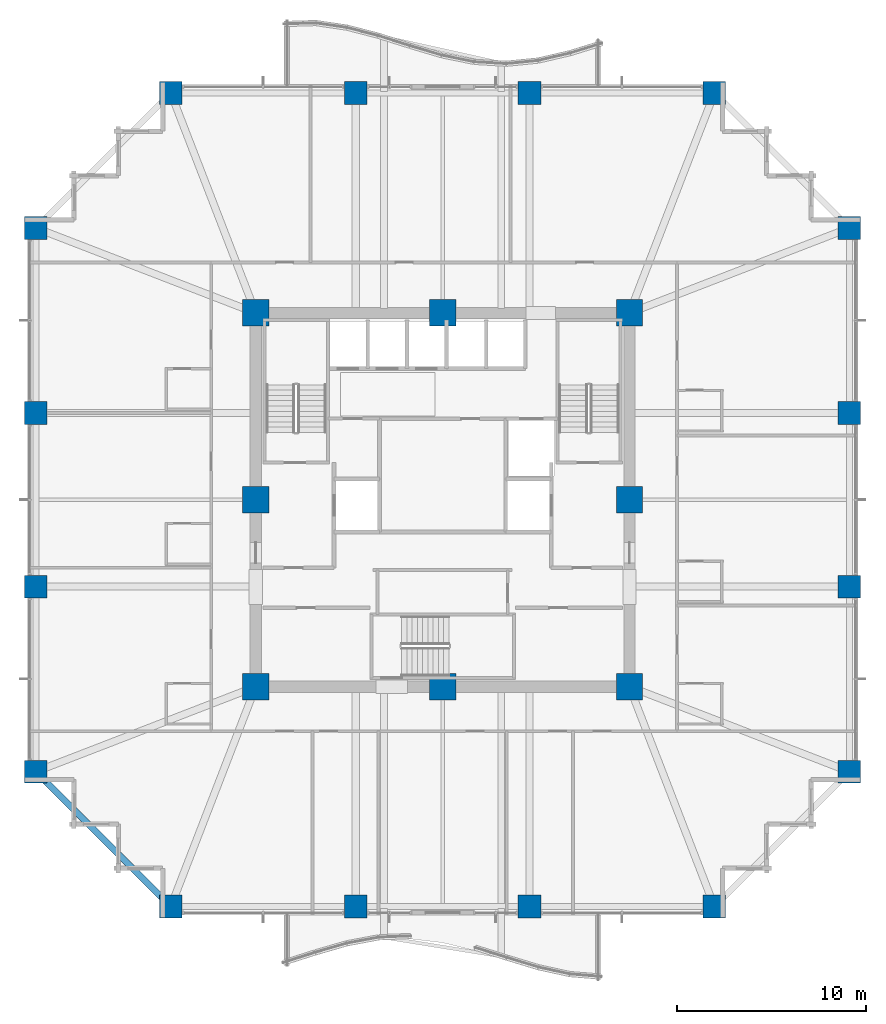
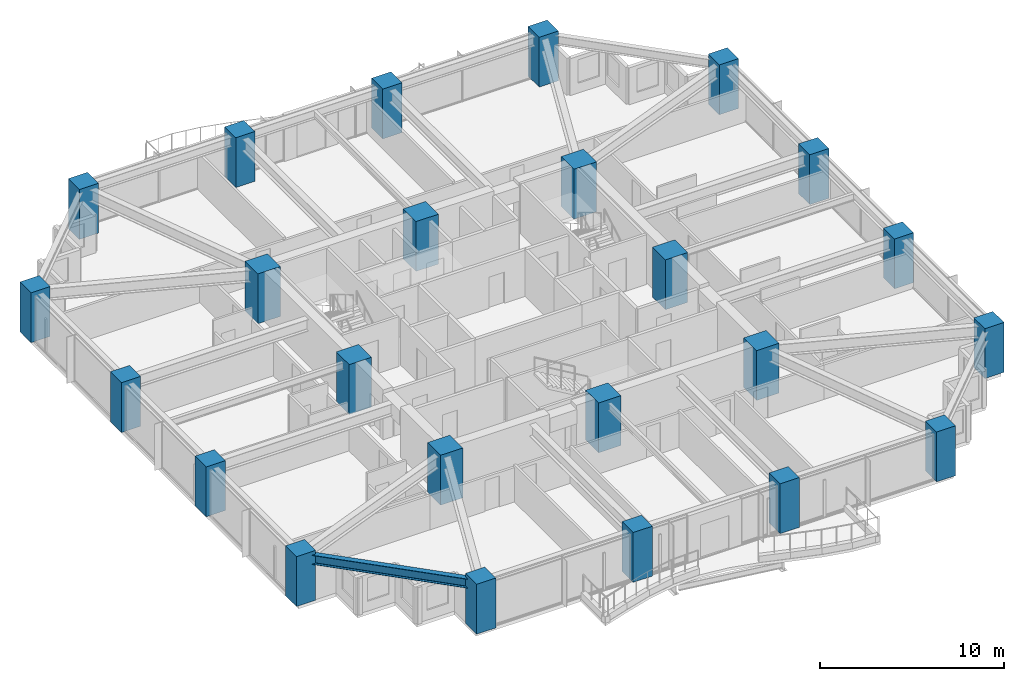
# One storey, part 1 of 38: 24 columns, 1 beam.
"""IFC4 building model written with IfcOpenShell, lengths in metres."""

from ifc_helpers import new_model, si_unit, direction, frame, origin, origin_2d, place, context, subcontext, project, spatial, rectangle, i_section, extrude, material, material_profile, profile_set, type_object, element, save


model = new_model("IFC4")

# Units and contexts
model_context = context("Model", 3, precision=1e-05, world=origin(), true_north=direction((0.0, 1.0)))
body_context = subcontext(model_context, "Body", "Model", "MODEL_VIEW")
ifc_project = project(units=[si_unit("LENGTHUNIT", "METRE"), si_unit("AREAUNIT", "SQUARE_METRE"), si_unit("VOLUMEUNIT", "CUBIC_METRE"), si_unit("PLANEANGLEUNIT", "RADIAN"), si_unit("MASSUNIT", "GRAM", prefix="KILO")], contexts=[model_context])

# Site, building, storey
site_placement = place(None, origin())
site = spatial("IfcSite", under=ifc_project, at=site_placement, CompositionType="ELEMENT")
building_placement = place(site_placement, origin())
building = spatial("IfcBuilding", under=site, at=building_placement, Name="Kolvaren Belvedere", CompositionType="ELEMENT")
storey_placement = place(building_placement, frame((0.0, 0.0, 27.10009765625)))
storey = spatial("IfcBuildingStorey", under=building, at=storey_placement, Name="L07", CompositionType="ELEMENT", Elevation=27.10009765625)

# Columns
ifc_material_1 = material(Name="Concrete C60/75", Category="concrete")
ifc_material_profile_1 = material_profile(ifc_material_1, rectangle(XDim=1.199951171875, YDim=1.199951171875, at=origin_2d()), Name="RC 1200X1200")
ifc_profile_set_1 = profile_set([ifc_material_profile_1], Name="Concrete C60/75")
column_type_1 = type_object("IfcColumnType", Name="COL-RC-1200", PredefinedType="COLUMN", material=ifc_profile_set_1)
for number, where, z_axis, x_axis, name in (
    (1, (-14.39990234375, -21.550048828125, 0.0), (0.0, 0.0, 1.0), (1.0, 0.0, 0.0), "L07 Perimeter Column S1"),
    (2, (-4.60009765625, -21.550048828125, 0.0), (0.0, 0.0, 1.0), (1.0, 0.0, 0.0), "L07 Perimeter Column S2"),
    (3, (4.60009765625, -21.550048828125, 0.0), (0.0, 0.0, 1.0), (1.0, 0.0, 0.0), "L07 Perimeter Column S3"),
    (4, (14.39990234375, -21.550048828125, 0.0), (0.0, 0.0, 1.0), (1.0, 0.0, 0.0), "L07 Perimeter Column S4"),
    (5, (-14.39990234375, 21.550048828125, 0.0), (0.0, 0.0, 1.0), (1.0, 0.0, 0.0), "L07 Perimeter Column N1"),
    (6, (-4.60009765625, 21.550048828125, 0.0), (0.0, 0.0, 1.0), (1.0, 0.0, 0.0), "L07 Perimeter Column N2"),
    (7, (4.60009765625, 21.550048828125, 0.0), (0.0, 0.0, 1.0), (1.0, 0.0, 0.0), "L07 Perimeter Column N3"),
    (8, (14.39990234375, 21.550048828125, 0.0), (0.0, 0.0, 1.0), (1.0, 0.0, 0.0), "L07 Perimeter Column N4"),
    (9, (-21.550048828125, -14.39990234375, 0.0), (0.0, 0.0, 1.0), (1.0, 0.0, 0.0), "L07 Perimeter Column W1"),
    (10, (-21.550048828125, -4.60009765625, 0.0), (0.0, 0.0, 1.0), (1.0, 0.0, 0.0), "L07 Perimeter Column W2"),
    (11, (-21.550048828125, 4.60009765625, 0.0), (0.0, 0.0, 1.0), (1.0, 0.0, 0.0), "L07 Perimeter Column W3"),
    (12, (-21.550048828125, 14.39990234375, 0.0), (0.0, 0.0, 1.0), (1.0, 0.0, 0.0), "L07 Perimeter Column W4"),
    (13, (21.550048828125, -14.39990234375, 0.0), (0.0, 0.0, 1.0), (1.0, 0.0, 0.0), "L07 Perimeter Column E1"),
    (14, (21.550048828125, -4.60009765625, 0.0), (0.0, 0.0, 1.0), (1.0, 0.0, 0.0), "L07 Perimeter Column E2"),
    (15, (21.550048828125, 4.60009765625, 0.0), (0.0, 0.0, 1.0), (1.0, 0.0, 0.0), "L07 Perimeter Column E3"),
    (16, (21.550048828125, 14.39990234375, 0.0), (0.0, 0.0, 1.0), (1.0, 0.0, 0.0), "L07 Perimeter Column E4"),
):
    element("IfcColumn", number, at=place(storey_placement, frame(where, z_axis=z_axis, x_axis=x_axis)), inside=storey, type_object=column_type_1, Name=name, PredefinedType="COLUMN", context=body_context, shape_type="SweptSolid", body=[
        extrude(rectangle(XDim=1.199951171875, YDim=1.199951171875, at=origin_2d()), origin(), (0.0, 0.0, 1.0), 3.2998046875),
    ])
ifc_material_2 = material(Name="Concrete C60/75", Category="concrete")
ifc_material_profile_2 = material_profile(ifc_material_2, rectangle(XDim=1.39990234375, YDim=1.39990234375, at=origin_2d()), Name="RC 1400X1400")
ifc_profile_set_2 = profile_set([ifc_material_profile_2], Name="Concrete C60/75")
column_type_2 = type_object("IfcColumnType", Name="COL-RC-1400", PredefinedType="COLUMN", material=ifc_profile_set_2)
for number, where, z_axis, x_axis, name in (
    (17, (-9.89990234375, -9.89990234375, 0.0), (0.0, 0.0, 1.0), (1.0, 0.0, 0.0), "L07 Core Column CC1"),
    (18, (9.89990234375, -9.89990234375, 0.0), (0.0, 0.0, 1.0), (1.0, 0.0, 0.0), "L07 Core Column CC2"),
    (19, (9.89990234375, 9.89990234375, 0.0), (0.0, 0.0, 1.0), (1.0, 0.0, 0.0), "L07 Core Column CC3"),
    (20, (-9.89990234375, 9.89990234375, 0.0), (0.0, 0.0, 1.0), (1.0, 0.0, 0.0), "L07 Core Column CC4"),
    (21, (0.0, -9.89990234375, 0.0), (0.0, 0.0, 1.0), (1.0, 0.0, 0.0), "L07 Core Column CM1"),
    (22, (9.89990234375, 0.0, 0.0), (0.0, 0.0, 1.0), (1.0, 0.0, 0.0), "L07 Core Column CM2"),
    (23, (0.0, 9.89990234375, 0.0), (0.0, 0.0, 1.0), (1.0, 0.0, 0.0), "L07 Core Column CM3"),
    (24, (-9.89990234375, 0.0, 0.0), (0.0, 0.0, 1.0), (1.0, 0.0, 0.0), "L07 Core Column CM4"),
):
    element("IfcColumn", number, at=place(storey_placement, frame(where, z_axis=z_axis, x_axis=x_axis)), inside=storey, type_object=column_type_2, Name=name, PredefinedType="COLUMN", context=body_context, shape_type="SweptSolid", body=[
        extrude(rectangle(XDim=1.39990234375, YDim=1.39990234375, at=origin_2d()), origin(), (0.0, 0.0, 1.0), 3.2998046875),
    ])

# Beam
ifc_material_3 = material(Name="Structural steel ASTM A992 Grade 50", Category="steel")
ifc_material_profile_3 = material_profile(ifc_material_3, i_section(OverallWidth=0.324951171875, OverallDepth=0.615966796875, WebThickness=0.013916015625, FlangeThickness=0.021484375, FilletRadius=0.02001953125, at=origin_2d()), Name="W24X117")
ifc_profile_set_3 = profile_set([ifc_material_profile_3], Name="Structural steel ASTM A992 Grade 50")
beam_type = type_object("IfcBeamType", Name="BM-SPAN-W24X117", PredefinedType="SPANDREL", material=ifc_profile_set_3)
beam_placement = place(storey_placement, frame((-21.359130859375, -14.5908203125, 2.751953125), z_axis=(0.707106781187, -0.707106781187, 0.0), x_axis=(0.707106781187, 0.707106781187, 0.0)))
element("IfcBeam", 25, at=beam_placement, inside=storey, type_object=beam_type, Name="L07 Perimeter Spandrel W1-S1", PredefinedType="SPANDREL", context=body_context, shape_type="SweptSolid", body=[
    extrude(i_section(OverallWidth=0.324951171875, OverallDepth=0.615966796875, WebThickness=0.013916015625, FlangeThickness=0.021484375, FilletRadius=0.02001953125, at=origin_2d()), origin(), (0.0, 0.0, 1.0), 9.57177734375),
])

save(model, "model.ifc")
